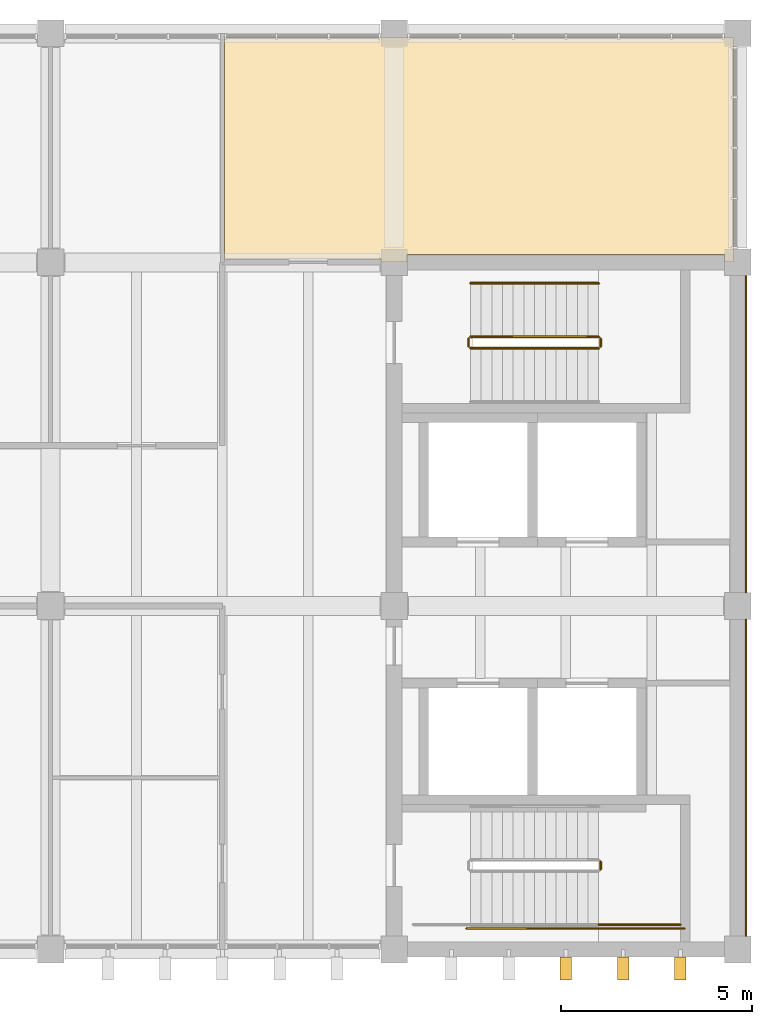
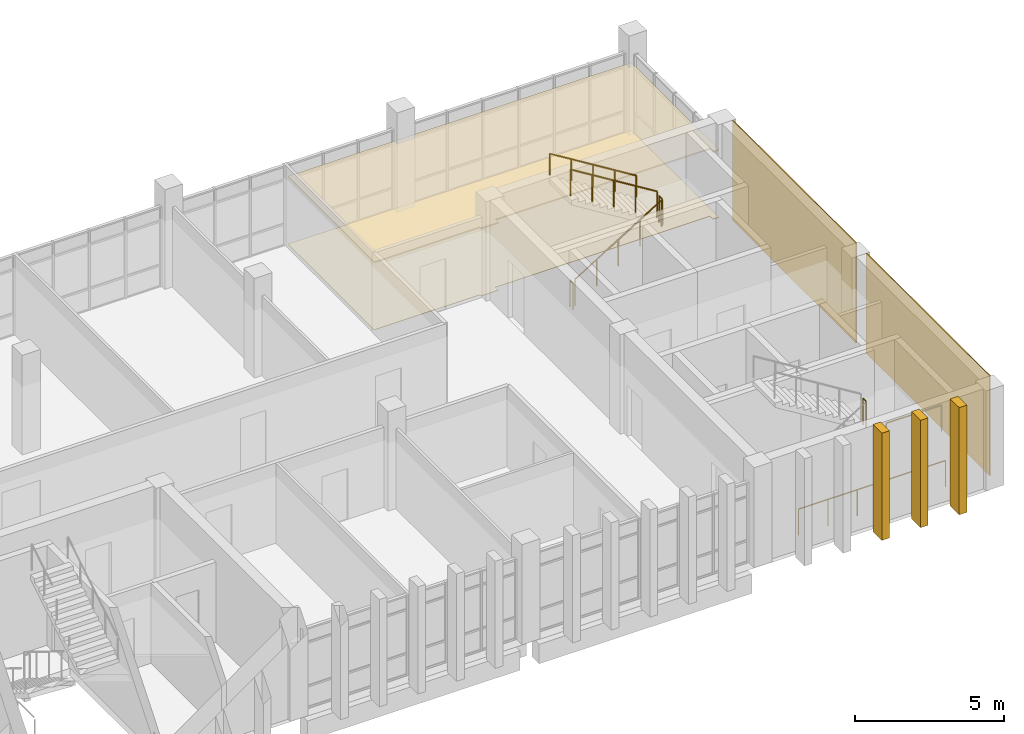
# One storey, part 14 of 14: 8 railings, 4 coverings, 3 shading devices.
"""IFC4 building model written with IfcOpenShell, lengths in metres."""

from ifc_helpers import new_model, si_unit, direction, frame, origin, origin_2d, place, context, subcontext, project, spatial, polyline, rectangle, circle, outline, extrude, source, transform, mapped, material, layer, layer_set, type_object, element, save


model = new_model("IFC4")

# Units and contexts
model_context = context("Model", 3, precision=1e-05, world=origin(), true_north=direction((0.0, 1.0)))
body_context = subcontext(model_context, "Body", "Model", "MODEL_VIEW")
ifc_project = project(units=[si_unit("LENGTHUNIT", "METRE"), si_unit("AREAUNIT", "SQUARE_METRE"), si_unit("VOLUMEUNIT", "CUBIC_METRE"), si_unit("PLANEANGLEUNIT", "RADIAN"), si_unit("MASSUNIT", "GRAM", prefix="KILO")], contexts=[model_context])

# Site, building, storey
site_placement = place(None, origin())
site = spatial("IfcSite", under=ifc_project, at=site_placement, CompositionType="ELEMENT")
building_placement = place(site_placement, origin())
building = spatial("IfcBuilding", under=site, at=building_placement, Name="Merrow Basin Faculty of Sciences", CompositionType="ELEMENT")
storey_placement = place(building_placement, frame((0.0, 0.0, 36.0)))
storey = spatial("IfcBuildingStorey", under=building, at=storey_placement, Name="L08", CompositionType="ELEMENT", Elevation=36.0)

# Covering
ifc_material_1 = material(Name="Carpet tile floor")
ifc_layer_1 = layer(ifc_material_1, 0.02001953125)
ifc_layer_set_1 = layer_set([ifc_layer_1], Name="Carpet tile floor")
covering_type_1 = type_object("IfcCoveringType", Name="Carpet tile floor", PredefinedType="FLOORING", material=ifc_layer_set_1)
covering_1_placement = place(storey_placement, origin())
element("IfcCovering", 1, at=covering_1_placement, inside=storey, type_object=covering_type_1, Name="Floor finish L08-T-019", PredefinedType="FLOORING", context=body_context, shape_type="SweptSolid", body=[
    extrude(outline(polyline([(53.889892578125, 165.889892578125), (53.889892578125, 160.010009765625), (53.659912109375, 160.010009765625), (53.659912109375, 160.2099609375), (45.340087890625, 160.2099609375), (45.340087890625, 160.010009765625), (44.659912109375, 160.010009765625), (44.659912109375, 160.0849609375), (40.56005859375, 160.0849609375), (40.56005859375, 165.889892578125), (53.889892578125, 165.889892578125)])), origin(), (0.0, 0.0, 1.0), 0.02001953125),
])

# Railings
ifc_material_2 = material(Name="Steel ASTM A36", Category="steel")
railing_type_1 = type_object("IfcRailingType", Name="Steel guard 1100", PredefinedType="GUARDRAIL", material=ifc_material_2)
railing_1_placement = place(storey_placement, frame((47.0, 157.75, 0.173095703125)))
element("IfcRailing", 2, at=railing_1_placement, inside=storey, type_object=railing_type_1, Name="L08 ST-V5-S stair guard 1", PredefinedType="GUARDRAIL", context=body_context, shape_type="SweptSolid", body=[
    extrude(circle(Radius=0.02392578125, at=origin_2d()), frame((0.0, 0.0, 1.076171875), z_axis=(0.850623216509, 0.0, 0.525775754039), x_axis=(0.0, 1.0, 0.0)), (0.0, 0.0, 1.0), 3.9501953125),
    extrude(circle(Radius=0.02099609375, at=origin_2d()), origin(), (0.0, 0.0, 1.0), 1.052001953125),
    extrude(circle(Radius=0.02099609375, at=origin_2d()), frame((0.840087890625, 0.0, 0.519287109375)), (0.0, 0.0, 1.0), 1.052001953125),
    extrude(circle(Radius=0.02099609375, at=origin_2d()), frame((1.68017578125, 0.0, 1.03857421875)), (0.0, 0.0, 1.0), 1.052001953125),
    extrude(circle(Radius=0.02099609375, at=origin_2d()), frame((2.52001953125, 0.0, 1.5576171875)), (0.0, 0.0, 1.0), 1.052001953125),
    extrude(circle(Radius=0.02099609375, at=origin_2d()), frame((3.360107421875, 0.0, 2.076904296875)), (0.0, 0.0, 1.0), 1.052001953125),
])
railing_2_placement = place(storey_placement, frame((50.409912109375, 157.800048828125, 2.25)))
element("IfcRailing", 3, at=railing_2_placement, inside=storey, type_object=railing_type_1, Name="L08 ST-V5-S stair guard 2", PredefinedType="GUARDRAIL", context=body_context, shape_type="SweptSolid", body=[
    extrude(circle(Radius=0.02392578125, at=origin_2d()), frame((0.0, 0.0, 1.076171875), z_axis=(0.0, 1.0, 0.0), x_axis=(-1.0, 0.0, 0.0)), (0.0, 0.0, 1.0), 0.199951171875),
    extrude(circle(Radius=0.02099609375, at=origin_2d()), origin(), (0.0, 0.0, 1.0), 1.052001953125),
    extrude(circle(Radius=0.02099609375, at=origin_2d()), frame((0.0, 0.199951171875, 0.0)), (0.0, 0.0, 1.0), 1.052001953125),
])
railing_3_placement = place(storey_placement, frame((50.360107421875, 158.050048828125, 2.423095703125)))
element("IfcRailing", 4, at=railing_3_placement, inside=storey, type_object=railing_type_1, Name="L08 ST-V5-S stair guard 3", PredefinedType="GUARDRAIL", context=body_context, shape_type="SweptSolid", body=[
    extrude(circle(Radius=0.02392578125, at=origin_2d()), frame((0.0, 0.0, 1.076171875), z_axis=(-0.850623216509, 0.0, 0.525775754039), x_axis=(0.0, -1.0, 0.0)), (0.0, 0.0, 1.0), 3.9501953125),
    extrude(circle(Radius=0.02099609375, at=origin_2d()), origin(), (0.0, 0.0, 1.0), 1.052001953125),
    extrude(circle(Radius=0.02099609375, at=origin_2d()), frame((-0.840087890625, 0.0, 0.519287109375)), (0.0, 0.0, 1.0), 1.052001953125),
    extrude(circle(Radius=0.02099609375, at=origin_2d()), frame((-1.68017578125, 0.0, 1.03857421875)), (0.0, 0.0, 1.0), 1.052001953125),
    extrude(circle(Radius=0.02099609375, at=origin_2d()), frame((-2.52001953125, 0.0, 1.5576171875)), (0.0, 0.0, 1.0), 1.052001953125),
    extrude(circle(Radius=0.02099609375, at=origin_2d()), frame((-3.360107421875, 0.0, 2.076904296875)), (0.0, 0.0, 1.0), 1.052001953125),
])
for number, where, name in (
    (5, (46.949951171875, 157.800048828125, 0.0), "L08 ST-V5-S stair guard 4"),
    (6, (50.409912109375, 144.10009765625, 2.25), "L08 ST-V5-N stair guard 2"),
):
    element("IfcRailing", number, at=place(storey_placement, frame(where)), inside=storey, type_object=railing_type_1, Name=name, PredefinedType="GUARDRAIL", context=body_context, shape_type="SweptSolid", body=[
        extrude(circle(Radius=0.02392578125, at=origin_2d()), frame((0.0, 0.0, 1.076171875), z_axis=(0.0, 1.0, 0.0), x_axis=(-1.0, 0.0, 0.0)), (0.0, 0.0, 1.0), 0.199951171875),
        extrude(circle(Radius=0.02099609375, at=origin_2d()), origin(), (0.0, 0.0, 1.0), 1.052001953125),
        extrude(circle(Radius=0.02099609375, at=origin_2d()), frame((0.0, 0.199951171875, 0.0)), (0.0, 0.0, 1.0), 1.052001953125),
    ])
railing_4_placement = place(storey_placement, frame((50.360107421875, 142.64990234375, 2.25)))
element("IfcRailing", 7, at=railing_4_placement, inside=storey, type_object=railing_type_1, Name="L08 ST-V5-N stair guard 3", PredefinedType="GUARDRAIL", context=body_context, shape_type="SweptSolid", body=[
    extrude(circle(Radius=0.02392578125, at=origin_2d()), frame((0.0, 0.0, 1.076171875), z_axis=(1.0, 0.0, 0.0), x_axis=(0.0, 1.0, 0.0)), (0.0, 0.0, 1.0), 2.139892578125),
    extrude(circle(Radius=0.02099609375, at=origin_2d()), origin(), (0.0, 0.0, 1.0), 1.052001953125),
    extrude(circle(Radius=0.02099609375, at=origin_2d()), frame((1.06982421875, 0.0, 0.0)), (0.0, 0.0, 1.0), 1.052001953125),
    extrude(circle(Radius=0.02099609375, at=origin_2d()), frame((2.139892578125, 0.0, 0.0)), (0.0, 0.0, 1.0), 1.052001953125),
])
railing_5_placement = place(storey_placement, frame((46.89990234375, 142.550048828125, 0.0)))
element("IfcRailing", 8, at=railing_5_placement, inside=storey, type_object=railing_type_1, Name="L08 ST-V5-N stair guard 7", PredefinedType="GUARDRAIL", context=body_context, shape_type="SweptSolid", body=[
    extrude(circle(Radius=0.02392578125, at=origin_2d()), frame((0.0, 0.0, 1.076171875), z_axis=(1.0, 0.0, 0.0), x_axis=(0.0, 1.0, 0.0)), (0.0, 0.0, 1.0), 5.7001953125),
    extrude(circle(Radius=0.02099609375, at=origin_2d()), origin(), (0.0, 0.0, 1.0), 1.052001953125),
    extrude(circle(Radius=0.02099609375, at=origin_2d()), frame((1.14013671875, 0.0, 0.0)), (0.0, 0.0, 1.0), 1.052001953125),
    extrude(circle(Radius=0.02099609375, at=origin_2d()), frame((2.280029296875, 0.0, 0.0)), (0.0, 0.0, 1.0), 1.052001953125),
    extrude(circle(Radius=0.02099609375, at=origin_2d()), frame((3.420166015625, 0.0, 0.0)), (0.0, 0.0, 1.0), 1.052001953125),
    extrude(circle(Radius=0.02099609375, at=origin_2d()), frame((4.56005859375, 0.0, 0.0)), (0.0, 0.0, 1.0), 1.052001953125),
    extrude(circle(Radius=0.02099609375, at=origin_2d()), frame((5.7001953125, 0.0, 0.0)), (0.0, 0.0, 1.0), 1.052001953125),
])
ifc_material_3 = material(Name="Steel ASTM A36", Category="steel")
railing_type_2 = type_object("IfcRailingType", Name="Steel handrail 900", PredefinedType="HANDRAIL", material=ifc_material_3)
railing_6_placement = place(storey_placement, frame((50.360107421875, 159.449951171875, 2.423095703125)))
element("IfcRailing", 9, at=railing_6_placement, inside=storey, type_object=railing_type_2, Name="L08 ST-V5-S stair handrail 2", PredefinedType="HANDRAIL", context=body_context, shape_type="SweptSolid", body=[
    extrude(circle(Radius=0.02392578125, at=origin_2d()), frame((0.0, 0.0, 0.8759765625), z_axis=(-0.850623216509, 0.0, 0.525775754039), x_axis=(0.0, -1.0, 0.0)), (0.0, 0.0, 1.0), 3.9501953125),
    extrude(circle(Radius=0.02099609375, at=origin_2d()), origin(), (0.0, 0.0, 1.0), 0.851806640625),
    extrude(circle(Radius=0.02099609375, at=origin_2d()), frame((-0.840087890625, 0.0, 0.519287109375)), (0.0, 0.0, 1.0), 0.851806640625),
    extrude(circle(Radius=0.02099609375, at=origin_2d()), frame((-1.68017578125, 0.0, 1.03857421875)), (0.0, 0.0, 1.0), 0.851806640625),
    extrude(circle(Radius=0.02099609375, at=origin_2d()), frame((-2.52001953125, 0.0, 1.5576171875)), (0.0, 0.0, 1.0), 0.851806640625),
    extrude(circle(Radius=0.02099609375, at=origin_2d()), frame((-3.360107421875, 0.0, 2.076904296875)), (0.0, 0.0, 1.0), 0.851806640625),
])

# Coverings
ifc_material_4 = material(Name="Mineral fibre ceiling tile")
ifc_layer_2 = layer(ifc_material_4, 0.050048828125)
ifc_layer_set_2 = layer_set([ifc_layer_2], Name="Suspended acoustic ceiling tile")
covering_type_2 = type_object("IfcCoveringType", Name="Suspended acoustic ceiling tile", PredefinedType="CEILING", material=ifc_layer_set_2)
covering_2_placement = place(storey_placement, frame((0.0, 0.0, 2.75)))
element("IfcCovering", 10, at=covering_2_placement, inside=storey, type_object=covering_type_2, Name="Ceiling L08-T-019", PredefinedType="CEILING", context=body_context, shape_type="SweptSolid", body=[
    extrude(outline(polyline([(53.889892578125, 165.889892578125), (53.889892578125, 160.010009765625), (53.659912109375, 160.010009765625), (53.659912109375, 160.2099609375), (45.340087890625, 160.2099609375), (45.340087890625, 160.010009765625), (44.659912109375, 160.010009765625), (44.659912109375, 160.0849609375), (40.56005859375, 160.0849609375), (40.56005859375, 165.889892578125), (53.889892578125, 165.889892578125)])), origin(), (0.0, 0.0, 1.0), 0.050048828125),
])
ifc_material_5 = material(Name="White powder-coated aluminium", Category="aluminium")
ifc_layer_3 = layer(ifc_material_5, 0.0400390625)
ifc_layer_set_3 = layer_set([ifc_layer_3], Name="White precast cladding 40")
covering_type_3 = type_object("IfcCoveringType", Name="White precast cladding 40", PredefinedType="CLADDING", material=ifc_layer_set_3)
for number, where, z_axis, x_axis, name in (
    (11, (54.219970703125, 146.5, 0.0), (0.0, 0.0, 1.0), (1.0, 0.0, 0.0), "White core cladding"),
    (12, (54.219970703125, 155.5, 0.0), (0.0, 0.0, 1.0), (1.0, 0.0, 0.0), "White core cladding"),
):
    element("IfcCovering", number, at=place(storey_placement, frame(where, z_axis=z_axis, x_axis=x_axis)), inside=storey, type_object=covering_type_3, Name=name, PredefinedType="CLADDING", context=body_context, shape_type="SweptSolid", body=[
        extrude(rectangle(XDim=0.0400390625, YDim=8.300048828125, at=origin_2d()), origin(), (0.0, 0.0, 1.0), 4.10009765625),
    ])

# Shading devices
ifc_material_6 = material(Name="White precast concrete C50/60", Category="concrete")
shading_device_type = type_object("IfcShadingDeviceType", Name="White precast fin 300 x 600", PredefinedType="USERDEFINED", material=ifc_material_6)
shared_shape = source(origin(), body_context, "Body", "SweptSolid", [
    extrude(outline(polyline([(0.0, 0.0), (0.300048828125, 0.0), (0.300048828125, 4.39990234375), (0.0, 4.39990234375), (0.0, 0.0)])), origin(), (0.0, 0.0, 1.0), 0.60009765625),
])
for number, where, z_axis, x_axis, name in (
    (13, (49.35009765625, 141.800048828125, -0.25), (0.0, -1.0, 0.0), (1.0, 0.0, 0.0), "Brise-soleil fin SL08"),
    (14, (50.85009765625, 141.800048828125, -0.25), (0.0, -1.0, 0.0), (1.0, 0.0, 0.0), "Brise-soleil fin SL08"),
    (15, (52.35009765625, 141.800048828125, -0.25), (0.0, -1.0, 0.0), (1.0, 0.0, 0.0), "Brise-soleil fin SL08"),
):
    element("IfcShadingDevice", number, at=place(storey_placement, frame(where, z_axis=z_axis, x_axis=x_axis)), inside=storey, type_object=shading_device_type, Name=name, ObjectType="FIN", PredefinedType="USERDEFINED", context=body_context, shape_type="MappedRepresentation", body=[
        mapped(shared_shape, transform((0.0, 0.0, 0.0), scale=1.0)),
    ])

save(model, "model.ifc")
